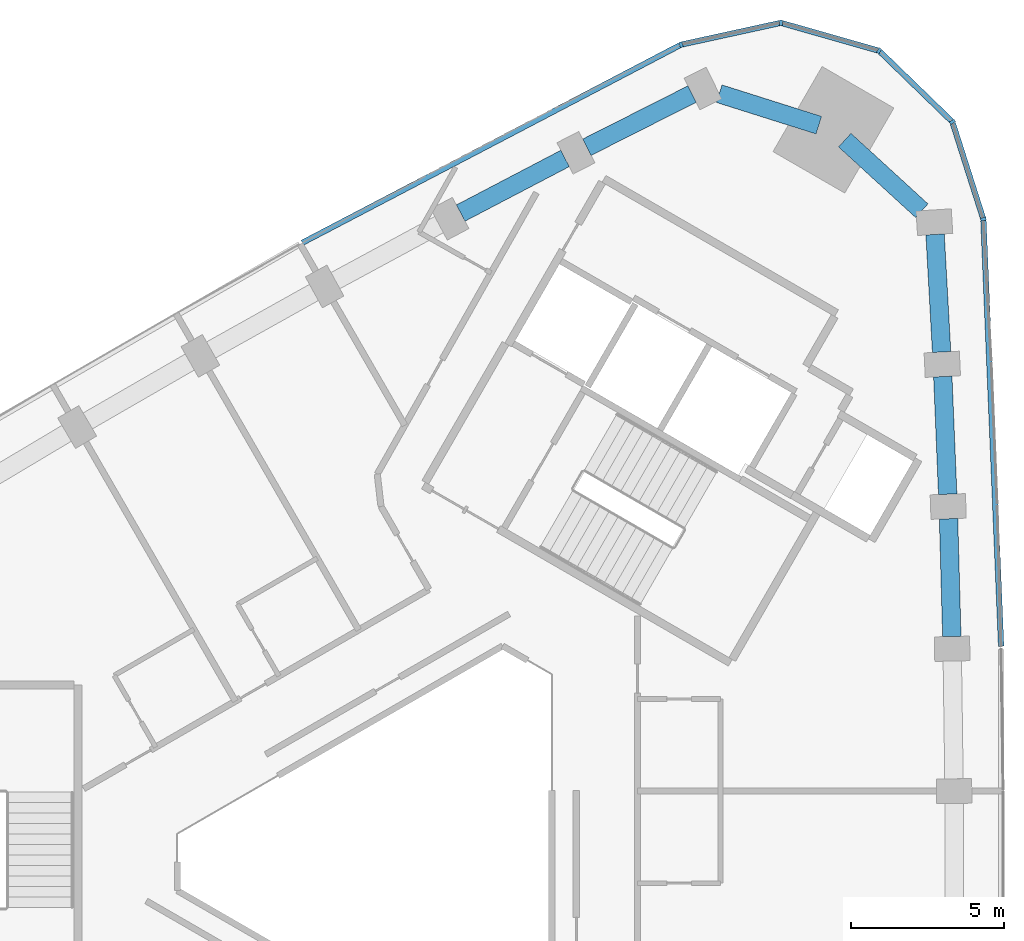
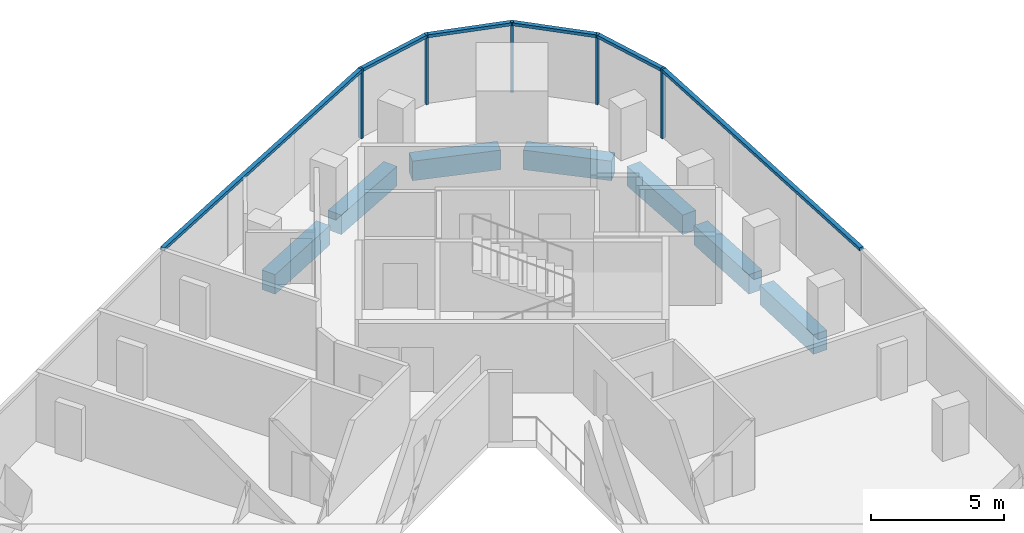
# One storey, part 5 of 11: 11 members, 7 beams, 2 elements without a shape of their own.
"""IFC4 building model written with IfcOpenShell, lengths in metres."""

from ifc_helpers import new_model, si_unit, direction, frame, origin, origin_2d, place, context, subcontext, project, spatial, rectangle, extrude, material, material_profile, profile_set, type_object, element, aggregate, save


model = new_model("IFC4")

# Units and contexts
model_context = context("Model", 3, precision=1e-05, world=origin(), true_north=direction((0.0, 1.0)))
body_context = subcontext(model_context, "Body", "Model", "MODEL_VIEW")
ifc_project = project(units=[si_unit("LENGTHUNIT", "METRE"), si_unit("AREAUNIT", "SQUARE_METRE"), si_unit("VOLUMEUNIT", "CUBIC_METRE"), si_unit("PLANEANGLEUNIT", "RADIAN"), si_unit("MASSUNIT", "GRAM", prefix="KILO")], contexts=[model_context])

# Site, building, storey
site_placement = place(None, origin())
site = spatial("IfcSite", under=ifc_project, at=site_placement, CompositionType="ELEMENT")
building_placement = place(site_placement, origin())
building = spatial("IfcBuilding", under=site, at=building_placement, Name="Tamra Quay Hotel Tower", CompositionType="ELEMENT")
storey_placement = place(building_placement, frame((0.0, 0.0, 208.0)))
storey = spatial("IfcBuildingStorey", under=building, at=storey_placement, Name="L52", CompositionType="ELEMENT", Elevation=208.0)

# Curtain wall, members
ifc_material_1 = material(Name="Aluminium 6063 anodised dark grey", Category="aluminium")
curtain_wall_type_1 = type_object("IfcCurtainWallType", Name="CW1 CURTAIN WALL", PredefinedType="NOTDEFINED", material=ifc_material_1)
curtain_wall_1_placement = place(storey_placement, origin())
curtain_wall_1 = element("IfcCurtainWall", 1, at=curtain_wall_1_placement, inside=storey, type_object=curtain_wall_type_1, Name="CW1 east face L52", PredefinedType="NOTDEFINED")
ifc_material_profile_1 = material_profile(ifc_material_1, rectangle(XDim=0.179931640625, YDim=0.10009765625, at=origin_2d()), Name="MULLION 100X180")
ifc_profile_set_1 = profile_set([ifc_material_profile_1], Name="Aluminium 6063 anodised dark grey")
member_type_1 = type_object("IfcMemberType", Name="MULLION CW1 Z4", PredefinedType="MULLION", material=ifc_profile_set_1)
member_1_placement = place(storey_placement, frame((18.665283203125, 20.955078125, 0.0), z_axis=(0.0, 0.0, 1.0), x_axis=(0.983509429279, 0.180856856435, 0.0)))
member_1 = element("IfcMember", 2, at=member_1_placement, type_object=member_type_1, Name="CW1 mullion L52.E.10", PredefinedType="MULLION", context=body_context, shape_type="SweptSolid", body=[
    extrude(rectangle(XDim=0.179931640625, YDim=0.10009765625, at=origin_2d()), origin(), (0.0, 0.0, 1.0), 3.199951171875),
])
member_2_placement = place(storey_placement, frame((17.65576171875, 24.1259765625, 0.0), z_axis=(0.0, 0.0, 1.0), x_axis=(0.85012217174, 0.526585504089, 0.0)))
member_2 = element("IfcMember", 3, at=member_2_placement, type_object=member_type_1, Name="CW1 mullion L52.E.11", PredefinedType="MULLION", context=body_context, shape_type="SweptSolid", body=[
    extrude(rectangle(XDim=0.179931640625, YDim=0.10009765625, at=origin_2d()), origin(), (0.0, 0.0, 1.0), 3.199951171875),
])
member_3_placement = place(storey_placement, frame((15.2666015625, 26.4423828125, 0.0), z_axis=(0.0, 0.0, 1.0), x_axis=(0.5, 0.866025403784, 0.0)))
member_3 = element("IfcMember", 4, at=member_3_placement, type_object=member_type_1, Name="CW1 mullion L52.E.12", PredefinedType="MULLION", context=body_context, shape_type="SweptSolid", body=[
    extrude(rectangle(XDim=0.179931640625, YDim=0.10009765625, at=origin_2d()), origin(), (0.0, 0.0, 1.0), 3.199951171875),
])
member_4_placement = place(storey_placement, frame((12.06591796875, 27.353271484375, 0.0), z_axis=(0.0, 0.0, 1.0), x_axis=(0.030975337936, 0.999520149091, 0.0)))
member_4 = element("IfcMember", 5, at=member_4_placement, type_object=member_type_1, Name="CW1 mullion L52.E.13", PredefinedType="MULLION", context=body_context, shape_type="SweptSolid", body=[
    extrude(rectangle(XDim=0.179931640625, YDim=0.10009765625, at=origin_2d()), origin(), (0.0, 0.0, 1.0), 3.199951171875),
])

# Curtain wall, member
curtain_wall_type_2 = type_object("IfcCurtainWallType", Name="CW2 CURTAIN WALL", PredefinedType="NOTDEFINED", material=ifc_material_1)
curtain_wall_2_placement = place(storey_placement, origin())
curtain_wall_2 = element("IfcCurtainWall", 6, at=curtain_wall_2_placement, inside=storey, type_object=curtain_wall_type_2, Name="CW2 north-west face L52", PredefinedType="NOTDEFINED")
ifc_material_profile_2 = material_profile(ifc_material_1, rectangle(XDim=0.179931640625, YDim=0.10009765625, at=origin_2d()), Name="MULLION 100X180")
ifc_profile_set_2 = profile_set([ifc_material_profile_2], Name="Aluminium 6063 anodised dark grey")
member_type_2 = type_object("IfcMemberType", Name="MULLION CW2 Z4", PredefinedType="MULLION", material=ifc_profile_set_2)
member_5_placement = place(storey_placement, frame((8.81494140625, 26.642333984375, 0.0), z_axis=(0.0, 0.0, 1.0), x_axis=(-0.335128082518, 0.942172578834, 0.0)))
member_5 = element("IfcMember", 7, at=member_5_placement, type_object=member_type_2, Name="CW2 mullion L52.NW.1", PredefinedType="MULLION", context=body_context, shape_type="SweptSolid", body=[
    extrude(rectangle(XDim=0.179931640625, YDim=0.10009765625, at=origin_2d()), origin(), (0.0, 0.0, 1.0), 3.199951171875),
])

# Beams
ifc_material_2 = material(Name="Concrete M60", Category="concrete")
ifc_material_profile_3 = material_profile(ifc_material_2, rectangle(XDim=0.60009765625, YDim=0.89990234375, at=origin_2d()), Name="SPANDREL BEAM RC 600x900")
ifc_profile_set_3 = profile_set([ifc_material_profile_3], Name="Concrete M60")
beam_type = type_object("IfcBeamType", Name="SPANDREL BEAM RC 600x900", PredefinedType="SPANDREL", material=ifc_profile_set_3)
beam_1_placement = place(storey_placement, frame((17.636962890625, 7.355712890625, -0.800048828125), z_axis=(-0.02773528523, 0.999615302981, 0.0), x_axis=(-0.999615302981, -0.02773528523, 0.0)))
element("IfcBeam", 8, at=beam_1_placement, inside=storey, type_object=beam_type, Name="BM-SP4-006-L52", PredefinedType="SPANDREL", context=body_context, shape_type="SweptSolid", body=[
    extrude(rectangle(XDim=0.60009765625, YDim=0.89990234375, at=origin_2d()), origin(), (0.0, 0.0, 1.0), 3.837890625),
])
beam_2_placement = place(storey_placement, frame((17.502685546875, 11.99169921875, -0.800048828125), z_axis=(-0.041609373826, 0.999133954988, 0.0), x_axis=(-0.999133954988, -0.041609373826, 0.0)))
element("IfcBeam", 9, at=beam_2_placement, inside=storey, type_object=beam_type, Name="BM-SP4-007-L52", PredefinedType="SPANDREL", context=body_context, shape_type="SweptSolid", body=[
    extrude(rectangle(XDim=0.60009765625, YDim=0.89990234375, at=origin_2d()), origin(), (0.0, 0.0, 1.0), 3.83740234375),
])
beam_3_placement = place(storey_placement, frame((17.30419921875, 16.625, -0.800048828125), z_axis=(-0.055346700292, 0.99846719664, 0.0), x_axis=(-0.99846719664, -0.055346700292, 0.0)))
element("IfcBeam", 10, at=beam_3_placement, inside=storey, type_object=beam_type, Name="BM-SP4-008-L52", PredefinedType="SPANDREL", context=body_context, shape_type="SweptSolid", body=[
    extrude(rectangle(XDim=0.60009765625, YDim=0.89990234375, at=origin_2d()), origin(), (0.0, 0.0, 1.0), 3.837646484375),
])
beam_4_placement = place(storey_placement, frame((16.659423828125, 21.2314453125, -0.800048828125), z_axis=(-0.737716497183, 0.675110635218, 0.0), x_axis=(-0.675110635218, -0.737716497183, 0.0)))
element("IfcBeam", 11, at=beam_4_placement, inside=storey, type_object=beam_type, Name="BM-SP4-009-L52", PredefinedType="SPANDREL", context=body_context, shape_type="SweptSolid", body=[
    extrude(rectangle(XDim=0.60009765625, YDim=0.89990234375, at=origin_2d()), origin(), (0.0, 0.0, 1.0), 3.404296875),
])
beam_5_placement = place(storey_placement, frame((13.302978515625, 24.017333984375, -0.800048828125), z_axis=(-0.953502415748, 0.301385373174, 0.0), x_axis=(-0.301385373174, -0.953502415748, 0.0)))
element("IfcBeam", 12, at=beam_5_placement, inside=storey, type_object=beam_type, Name="BM-SP4-010-L52", PredefinedType="SPANDREL", context=body_context, shape_type="SweptSolid", body=[
    extrude(rectangle(XDim=0.60009765625, YDim=0.89990234375, at=origin_2d()), origin(), (0.0, 0.0, 1.0), 3.40380859375),
])
beam_6_placement = place(storey_placement, frame((9.170166015625, 25.030029296875, -0.800048828125), z_axis=(-0.892407883039, -0.451229620359, 0.0), x_axis=(0.451229620359, -0.892407883039, 0.0)))
element("IfcBeam", 13, at=beam_6_placement, inside=storey, type_object=beam_type, Name="BM-SP4-011-L52", PredefinedType="SPANDREL", context=body_context, shape_type="SweptSolid", body=[
    extrude(rectangle(XDim=0.60009765625, YDim=0.89990234375, at=origin_2d()), origin(), (0.0, 0.0, 1.0), 3.837646484375),
])
beam_7_placement = place(storey_placement, frame((5.033935546875, 22.9326171875, -0.800048828125), z_axis=(-0.886043134182, -0.463602808845, 0.0), x_axis=(0.463602808845, -0.886043134182, 0.0)))
element("IfcBeam", 14, at=beam_7_placement, inside=storey, type_object=beam_type, Name="BM-SP4-012-L52", PredefinedType="SPANDREL", context=body_context, shape_type="SweptSolid", body=[
    extrude(rectangle(XDim=0.60009765625, YDim=0.89990234375, at=origin_2d()), origin(), (0.0, 0.0, 1.0), 3.83740234375),
])

# Member
ifc_material_profile_4 = material_profile(ifc_material_1, rectangle(XDim=0.179931640625, YDim=0.139892578125, at=origin_2d()), Name="TRANSOM 180X140")
ifc_profile_set_4 = profile_set([ifc_material_profile_4], Name="Aluminium 6063 anodised dark grey")
member_type_3 = type_object("IfcMemberType", Name="TRANSOM CW1 Z4", PredefinedType="USERDEFINED", material=ifc_profile_set_4)
member_6_placement = place(storey_placement, frame((19.245361328125, 7.03955078125, 3.1298828125), z_axis=(-0.041588103727, 0.999134840564, 0.0), x_axis=(-0.999134840564, -0.041588103727, 0.0)))
member_6 = element("IfcMember", 15, at=member_6_placement, type_object=member_type_3, Name="CW1 transom L52.E.7", ObjectType="TRANSOM", PredefinedType="USERDEFINED", context=body_context, shape_type="SweptSolid", body=[
    extrude(rectangle(XDim=0.179931640625, YDim=0.139892578125, at=origin_2d()), origin(), (0.0, 0.0, 1.0), 13.877685546875),
])

member_7_placement = place(storey_placement, frame((18.650146484375, 21.002685546875, 3.1298828125), z_axis=(-0.303378482034, 0.952870136293, 0.0), x_axis=(-0.952870136293, -0.303378482034, 0.0)))
member_7 = element("IfcMember", 16, at=member_7_placement, type_object=member_type_3, Name="CW1 transom L52.E.10", ObjectType="TRANSOM", PredefinedType="USERDEFINED", context=body_context, shape_type="SweptSolid", body=[
    extrude(rectangle(XDim=0.179931640625, YDim=0.139892578125, at=origin_2d()), origin(), (0.0, 0.0, 1.0), 3.227783203125),
])

member_8_placement = place(storey_placement, frame((17.619873046875, 24.160888671875, 3.1298828125), z_axis=(-0.717989739808, 0.696053685811, 0.0), x_axis=(-0.696053685811, -0.717989739808, 0.0)))
member_8 = element("IfcMember", 17, at=member_8_placement, type_object=member_type_3, Name="CW1 transom L52.E.11", ObjectType="TRANSOM", PredefinedType="USERDEFINED", context=body_context, shape_type="SweptSolid", body=[
    extrude(rectangle(XDim=0.179931640625, YDim=0.139892578125, at=origin_2d()), origin(), (0.0, 0.0, 1.0), 3.2275390625),
])

member_9_placement = place(storey_placement, frame((15.218505859375, 26.4560546875, 3.1298828125), z_axis=(-0.961806009168, 0.273731987038, 0.0), x_axis=(-0.273731987038, -0.961806009168, 0.0)))
member_9 = element("IfcMember", 18, at=member_9_placement, type_object=member_type_3, Name="CW1 transom L52.E.12", ObjectType="TRANSOM", PredefinedType="USERDEFINED", context=body_context, shape_type="SweptSolid", body=[
    extrude(rectangle(XDim=0.179931640625, YDim=0.139892578125, at=origin_2d()), origin(), (0.0, 0.0, 1.0), 3.227783203125),
])

member_10_placement = place(storey_placement, frame((12.01708984375, 27.342529296875, 3.1298828125), z_axis=(-0.976905938147, -0.21366981072, 0.0), x_axis=(0.21366981072, -0.976905938147, 0.0)))
member_10 = element("IfcMember", 19, at=member_10_placement, type_object=member_type_3, Name="CW1 transom L52.E.13", ObjectType="TRANSOM", PredefinedType="USERDEFINED", context=body_context, shape_type="SweptSolid", body=[
    extrude(rectangle(XDim=0.179931640625, YDim=0.139892578125, at=origin_2d()), origin(), (0.0, 0.0, 1.0), 3.227783203125),
])

aggregate(curtain_wall_1, [member_6, member_1, member_7, member_2, member_8, member_3, member_9, member_4, member_10])

ifc_material_profile_5 = material_profile(ifc_material_1, rectangle(XDim=0.179931640625, YDim=0.139892578125, at=origin_2d()), Name="TRANSOM 180X140")
ifc_profile_set_5 = profile_set([ifc_material_profile_5], Name="Aluminium 6063 anodised dark grey")
member_type_4 = type_object("IfcMemberType", Name="TRANSOM CW2 Z4", PredefinedType="USERDEFINED", material=ifc_profile_set_5)
member_11_placement = place(storey_placement, frame((8.770263671875, 26.61962890625, 3.1298828125), z_axis=(-0.886075202027, -0.463541515242, 0.0), x_axis=(0.463541515242, -0.886075202027, 0.0)))
member_11 = element("IfcMember", 20, at=member_11_placement, type_object=member_type_4, Name="CW2 transom L52.NW.1", ObjectType="TRANSOM", PredefinedType="USERDEFINED", context=body_context, shape_type="SweptSolid", body=[
    extrude(rectangle(XDim=0.179931640625, YDim=0.139892578125, at=origin_2d()), origin(), (0.0, 0.0, 1.0), 13.877685546875),
])

aggregate(curtain_wall_2, [member_5, member_11])

save(model, "model.ifc")
